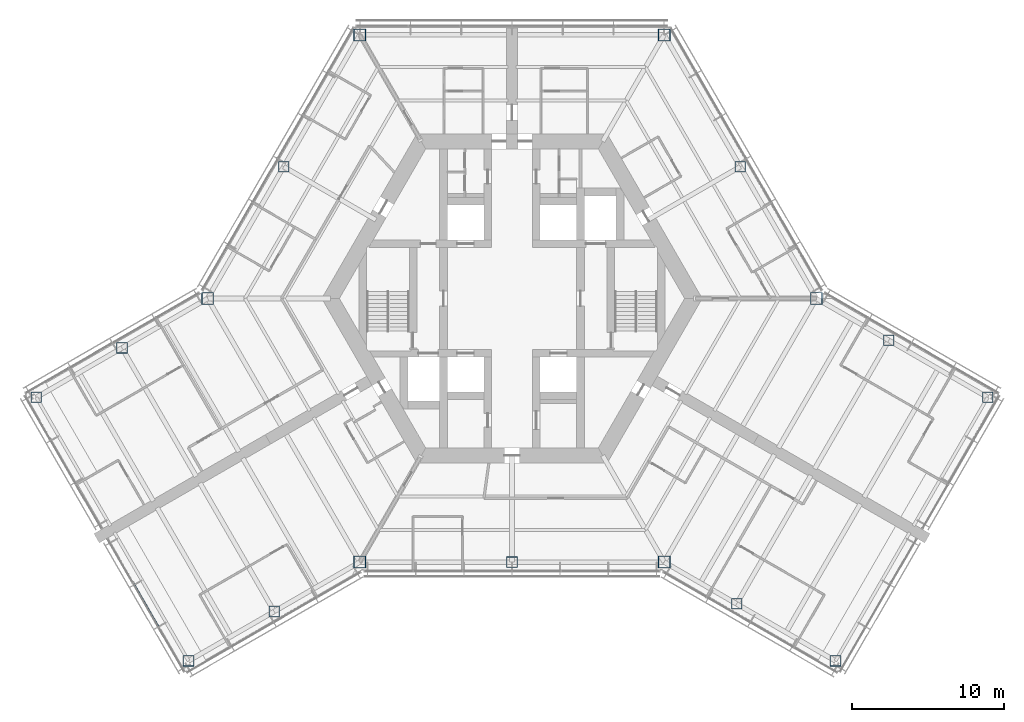
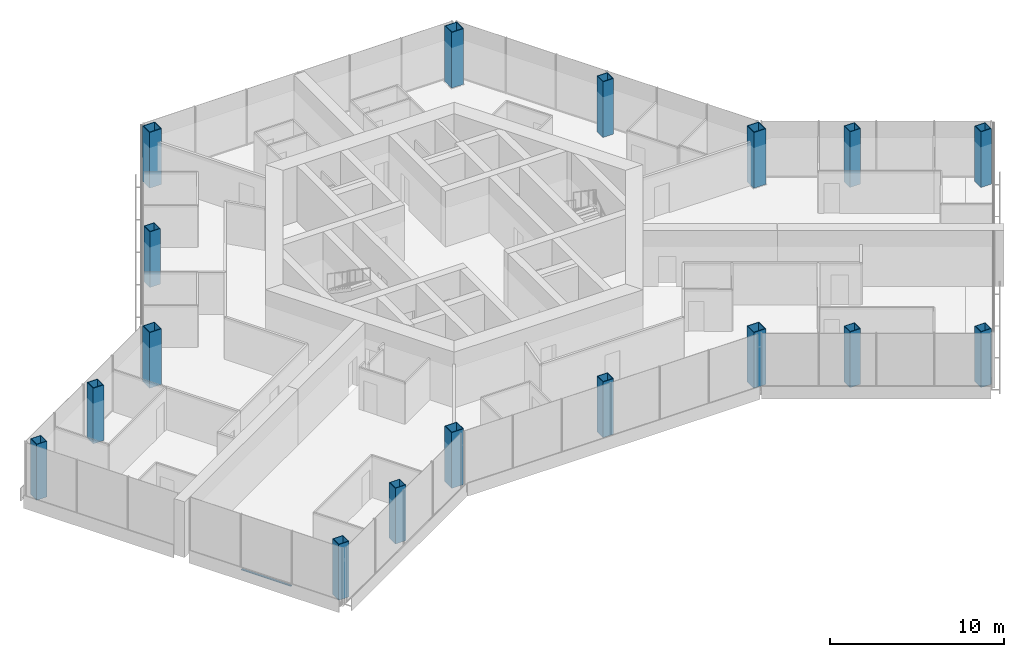
# One storey, part 1 of 18: 17 columns, 1 member, 1 element without a shape of its own.
"""IFC4 building model written with IfcOpenShell, lengths in metres."""

from ifc_helpers import new_model, si_unit, direction, frame, origin, origin_2d, place, context, subcontext, project, spatial, rectangle, hollow_rectangle, extrude, material, material_profile, profile_set, type_object, element, aggregate, save


model = new_model("IFC4")

# Units and contexts
model_context = context("Model", 3, precision=1e-05, world=origin(), true_north=direction((0.0, 1.0)))
body_context = subcontext(model_context, "Body", "Model", "MODEL_VIEW")
ifc_project = project(units=[si_unit("LENGTHUNIT", "METRE"), si_unit("AREAUNIT", "SQUARE_METRE"), si_unit("VOLUMEUNIT", "CUBIC_METRE"), si_unit("PLANEANGLEUNIT", "RADIAN"), si_unit("MASSUNIT", "GRAM", prefix="KILO")], contexts=[model_context])

# Site, building, storey
site_placement = place(None, origin())
site = spatial("IfcSite", under=ifc_project, at=site_placement, CompositionType="ELEMENT")
building_placement = place(site_placement, origin())
building = spatial("IfcBuilding", under=site, at=building_placement, Name="Kasaneha Research Tower", CompositionType="ELEMENT")
storey_placement = place(building_placement, frame((0.0, 0.0, 137.0)))
storey = spatial("IfcBuildingStorey", under=building, at=storey_placement, Name="L34", CompositionType="ELEMENT", Elevation=137.0)

# Columns
ifc_material_1 = material(Name="Steel SN490C", Category="steel")
ifc_material_profile_1 = material_profile(ifc_material_1, hollow_rectangle(XDim=0.800048828125, YDim=0.800048828125, WallThickness=0.044921875, at=origin_2d()), Name="BOX-800x800x45")
ifc_profile_set_1 = profile_set([ifc_material_profile_1], Name="Steel SN490C")
column_type_1 = type_object("IfcColumnType", Name="C3A column BOX-800x800x45", PredefinedType="COLUMN", material=ifc_profile_set_1)
for number, where, z_axis, x_axis, name in (
    (1, (20.0, 0.0, 0.0), (0.0, 0.0, 1.0), (1.0, 0.0, 0.0), "Column V0 L34"),
    (2, (10.0, 17.320556640625, 0.0), (0.0, 0.0, 1.0), (1.0, 0.0, 0.0), "Column V1 L34"),
    (3, (-10.0, 17.320556640625, 0.0), (0.0, 0.0, 1.0), (1.0, 0.0, 0.0), "Column V2 L34"),
    (4, (-20.0, 0.0, 0.0), (0.0, 0.0, 1.0), (1.0, 0.0, 0.0), "Column V3 L34"),
    (5, (-10.0, -17.320556640625, 0.0), (0.0, 0.0, 1.0), (1.0, 0.0, 0.0), "Column V4 L34"),
    (6, (10.0, -17.320556640625, 0.0), (0.0, 0.0, 1.0), (1.0, 0.0, 0.0), "Column V5 L34"),
):
    element("IfcColumn", number, at=place(storey_placement, frame(where, z_axis=z_axis, x_axis=x_axis)), inside=storey, type_object=column_type_1, Name=name, PredefinedType="COLUMN", context=body_context, shape_type="SweptSolid", body=[
        extrude(hollow_rectangle(XDim=0.800048828125, YDim=0.800048828125, WallThickness=0.044921875, at=origin_2d()), origin(), (0.0, 0.0, 1.0), 3.89990234375),
    ])
ifc_material_2 = material(Name="Steel SN490C", Category="steel")
ifc_material_profile_2 = material_profile(ifc_material_2, hollow_rectangle(XDim=0.699951171875, YDim=0.699951171875, WallThickness=0.035888671875, at=origin_2d()), Name="BOX-700x700x36")
ifc_profile_set_2 = profile_set([ifc_material_profile_2], Name="Steel SN490C")
column_type_2 = type_object("IfcColumnType", Name="C3B column BOX-700x700x36", PredefinedType="COLUMN", material=ifc_profile_set_2)
for number, where, z_axis, x_axis, name in (
    (7, (15.0, 8.66015625, 0.0), (0.0, 0.0, 1.0), (1.0, 0.0, 0.0), "Column M030 L34"),
    (8, (-15.0, 8.66015625, 0.0), (0.0, 0.0, 1.0), (1.0, 0.0, 0.0), "Column M150 L34"),
    (9, (0.0, -17.320556640625, 0.0), (0.0, 0.0, 1.0), (1.0, 0.0, 0.0), "Column M270 L34"),
    (10, (-25.629150390625, -3.25, 0.0), (0.0, 0.0, 1.0), (1.0, 0.0, 0.0), "Column BSP L34"),
    (11, (-31.25830078125, -6.5, 0.0), (0.0, 0.0, 1.0), (1.0, 0.0, 0.0), "Column BTP L34"),
    (12, (-15.629150390625, -20.570556640625, 0.0), (0.0, 0.0, 1.0), (1.0, 0.0, 0.0), "Column BSN L34"),
    (13, (-21.25830078125, -23.820556640625, 0.0), (0.0, 0.0, 1.0), (1.0, 0.0, 0.0), "Column BTN L34"),
    (14, (14.76318359375, -20.070556640625, 0.0), (0.0, 0.0, 1.0), (1.0, 0.0, 0.0), "Column CSP L34"),
    (15, (21.25830078125, -23.820556640625, 0.0), (0.0, 0.0, 1.0), (1.0, 0.0, 0.0), "Column CTP L34"),
    (16, (24.76318359375, -2.75, 0.0), (0.0, 0.0, 1.0), (1.0, 0.0, 0.0), "Column CSN L34"),
    (17, (31.25830078125, -6.5, 0.0), (0.0, 0.0, 1.0), (1.0, 0.0, 0.0), "Column CTN L34"),
):
    element("IfcColumn", number, at=place(storey_placement, frame(where, z_axis=z_axis, x_axis=x_axis)), inside=storey, type_object=column_type_2, Name=name, PredefinedType="COLUMN", context=body_context, shape_type="SweptSolid", body=[
        extrude(hollow_rectangle(XDim=0.699951171875, YDim=0.699951171875, WallThickness=0.035888671875, at=origin_2d()), origin(), (0.0, 0.0, 1.0), 3.89990234375),
    ])

# Curtain wall, member
ifc_material_3 = material(Name="Glass and aluminium", Category="aluminium")
curtain_wall_type = type_object("IfcCurtainWallType", Name="Mid-rise office curtain wall", PredefinedType="USERDEFINED", material=ifc_material_3)
curtain_wall_placement = place(storey_placement, origin())
curtain_wall = element("IfcCurtainWall", 18, at=curtain_wall_placement, inside=storey, type_object=curtain_wall_type, Name="CW-O2 L34 run 11a", ObjectType="UNITISED CURTAIN WALL", PredefinedType="USERDEFINED")
ifc_material_4 = material(Name="Aluminium 6063-T6", Category="aluminium")
ifc_material_profile_3 = material_profile(ifc_material_4, rectangle(XDim=0.110107421875, YDim=0.06005859375, at=origin_2d()), Name="CW-O2 transom 110x60")
ifc_profile_set_3 = profile_set([ifc_material_profile_3], Name="Aluminium 6063-T6")
member_type = type_object("IfcMemberType", Name="CW-O2 transom", PredefinedType="USERDEFINED", material=ifc_profile_set_3)
member_placement = place(storey_placement, frame((-24.896240234375, -18.719482421875, 0.030029296875), z_axis=(0.500010745865, -0.866019199568, 0.0), x_axis=(0.866019199568, 0.500010745865, 0.0)))
member = element("IfcMember", 19, at=member_placement, type_object=member_type, Name="CW-O2 transom 2", ObjectType="TRANSOM", PredefinedType="USERDEFINED", context=body_context, shape_type="SweptSolid", body=[
    extrude(rectangle(XDim=0.110107421875, YDim=0.06005859375, at=origin_2d()), origin(), (0.0, 0.0, 1.0), 3.3232421875),
])
aggregate(curtain_wall, [member])

save(model, "model.ifc")
